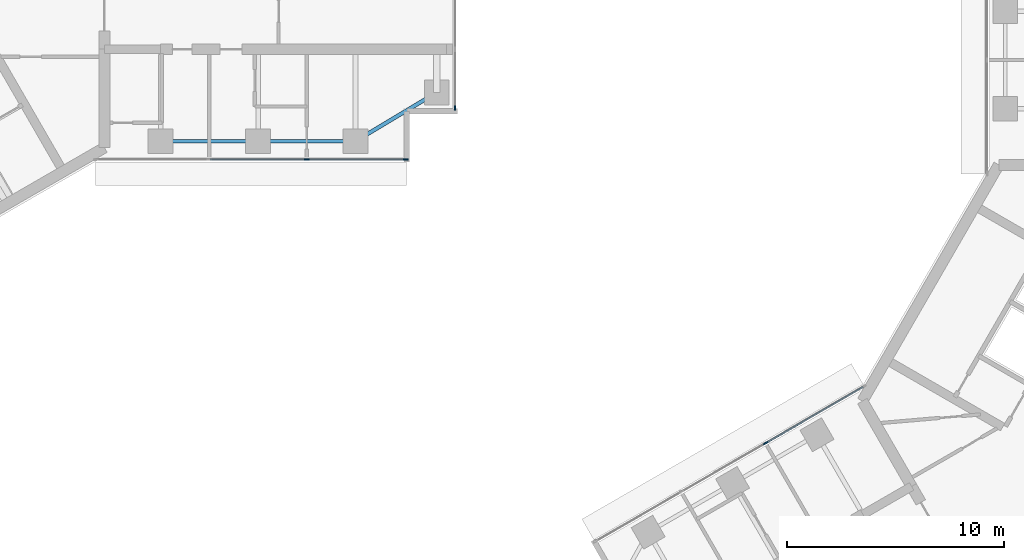
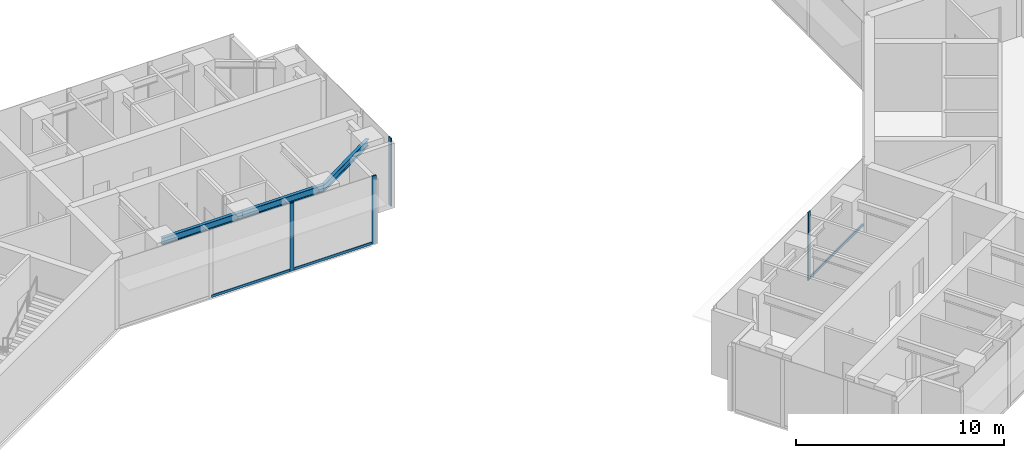
# One storey, part 4 of 17: 7 members, 3 beams, 3 elements without a shape of their own.
"""IFC4 building model written with IfcOpenShell, lengths in metres."""

from ifc_helpers import new_model, si_unit, direction, frame, origin, origin_2d, place, context, subcontext, project, spatial, rectangle, i_section, extrude, material, material_profile, profile_set, type_object, element, aggregate, save


model = new_model("IFC4")

# Units and contexts
model_context = context("Model", 3, precision=1e-05, world=origin(), true_north=direction((0.0, 1.0)))
body_context = subcontext(model_context, "Body", "Model", "MODEL_VIEW")
ifc_project = project(units=[si_unit("LENGTHUNIT", "METRE"), si_unit("AREAUNIT", "SQUARE_METRE"), si_unit("VOLUMEUNIT", "CUBIC_METRE"), si_unit("PLANEANGLEUNIT", "RADIAN"), si_unit("MASSUNIT", "GRAM", prefix="KILO")], contexts=[model_context])

# Site, building, storey
site_placement = place(None, origin())
site = spatial("IfcSite", under=ifc_project, at=site_placement, CompositionType="ELEMENT")
building_placement = place(site_placement, origin())
building = spatial("IfcBuilding", under=site, at=building_placement, Name="Upepo Twin Towers", CompositionType="ELEMENT")
storey_placement = place(building_placement, frame((0.0, 0.0, 206.5)))
storey = spatial("IfcBuildingStorey", under=building, at=storey_placement, Name="L50", CompositionType="ELEMENT", Elevation=206.5)

# Beams
ifc_material_1 = material(Name="Steel S355", Category="steel")
ifc_material_profile_1 = material_profile(ifc_material_1, i_section(OverallWidth=0.177978515625, OverallDepth=0.406494140625, WebThickness=0.0078125, FlangeThickness=0.0126953125, FilletRadius=0.01025390625, at=origin_2d()), Name="UB 406x178x60")
ifc_profile_set_1 = profile_set([ifc_material_profile_1], Name="Steel S355")
beam_type = type_object("IfcBeamType", Name="Beam UB 406x178x60", PredefinedType="BEAM", material=ifc_profile_set_1)
for number, where, z_axis, x_axis, name in (
    (1, (13.5, -6.0, 3.5966796875), (1.0, 0.0, 0.0), (0.0, 1.0, 0.0), "T1 edge beam AR 13.5-18.0"),
    (2, (18.0, -6.0, 3.5966796875), (1.0, 0.0, 0.0), (0.0, 1.0, 0.0), "T1 edge beam AR 18.0-22.5"),
):
    element("IfcBeam", number, at=place(storey_placement, frame(where, z_axis=z_axis, x_axis=x_axis)), inside=storey, type_object=beam_type, Name=name, PredefinedType="BEAM", context=body_context, shape_type="SweptSolid", body=[
        extrude(i_section(OverallWidth=0.177978515625, OverallDepth=0.406494140625, WebThickness=0.0078125, FlangeThickness=0.0126953125, FilletRadius=0.01025390625, at=origin_2d()), origin(), (0.0, 0.0, 1.0), 4.5),
    ])
beam_placement = place(storey_placement, frame((22.5, -6.0, 3.5966796875), z_axis=(0.857492925713, 0.514495755428, 0.0), x_axis=(-0.514495755428, 0.857492925713, 0.0)))
element("IfcBeam", 3, at=beam_placement, inside=storey, type_object=beam_type, Name="T1 nose edge beam AR", PredefinedType="BEAM", context=body_context, shape_type="SweptSolid", body=[
    extrude(i_section(OverallWidth=0.177978515625, OverallDepth=0.406494140625, WebThickness=0.0078125, FlangeThickness=0.0126953125, FilletRadius=0.01025390625, at=origin_2d()), origin(), (0.0, 0.0, 1.0), 4.373291015625),
])

# Curtain wall, members
ifc_material_2 = material(Name="Aluminium and fritted glass", Category="aluminium")
curtain_wall_type = type_object("IfcCurtainWallType", Name="Tower curtain wall TW3, fritted glass", PredefinedType="NOTDEFINED", material=ifc_material_2)
curtain_wall_1_placement = place(storey_placement, origin())
curtain_wall_1 = element("IfcCurtainWall", 4, at=curtain_wall_1_placement, inside=storey, type_object=curtain_wall_type, Name="T1 L50 wing A flank R curtain wall", PredefinedType="NOTDEFINED")
ifc_material_3 = material(Name="Aluminium mullion", Category="aluminium")
ifc_material_profile_2 = material_profile(ifc_material_3, rectangle(XDim=0.06494140625, YDim=0.22509765625, at=origin_2d()), Name="MULLION 65x225")
ifc_profile_set_2 = profile_set([ifc_material_profile_2], Name="Aluminium mullion")
member_type_1 = type_object("IfcMemberType", Name="Mullion 65x225 TW3", PredefinedType="MULLION", material=ifc_profile_set_2)
member_1_placement = place(storey_placement, frame((24.8173828125, -6.85009765625, 0.0), z_axis=(0.0, 0.0, 1.0), x_axis=(0.0, -1.0, 0.0)))
member_1 = element("IfcMember", 5, at=member_1_placement, type_object=member_type_1, Name="T1 L50 wing A flank R curtain wall mullion 1", PredefinedType="MULLION", context=body_context, shape_type="SweptSolid", body=[
    extrude(rectangle(XDim=0.06494140625, YDim=0.22509765625, at=origin_2d()), origin(), (0.0, 0.0, 1.0), 4.0),
])
member_2_placement = place(storey_placement, frame((20.25, -6.85009765625, 0.0), z_axis=(0.0, 0.0, 1.0), x_axis=(0.0, -1.0, 0.0)))
member_2 = element("IfcMember", 6, at=member_2_placement, type_object=member_type_1, Name="T1 L50 wing A flank R curtain wall mullion 2", PredefinedType="MULLION", context=body_context, shape_type="SweptSolid", body=[
    extrude(rectangle(XDim=0.06494140625, YDim=0.22509765625, at=origin_2d()), origin(), (0.0, 0.0, 1.0), 4.0),
])

# Curtain wall, member
curtain_wall_2_placement = place(storey_placement, origin())
curtain_wall_2 = element("IfcCurtainWall", 7, at=curtain_wall_2_placement, inside=storey, type_object=curtain_wall_type, Name="T1 L50 wing A nose curtain wall", PredefinedType="NOTDEFINED")
member_3_placement = place(storey_placement, frame((27.10009765625, -4.467529296875, 0.0), z_axis=(0.0, 0.0, 1.0), x_axis=(-1.0, 0.0, 0.0)))
member_3 = element("IfcMember", 8, at=member_3_placement, type_object=member_type_1, Name="T1 L50 wing A nose curtain wall mullion 1", PredefinedType="MULLION", context=body_context, shape_type="SweptSolid", body=[
    extrude(rectangle(XDim=0.06494140625, YDim=0.22509765625, at=origin_2d()), origin(), (0.0, 0.0, 1.0), 4.0),
])
aggregate(curtain_wall_2, [member_3])

curtain_wall_3_placement = place(storey_placement, origin())
curtain_wall_3 = element("IfcCurtainWall", 9, at=curtain_wall_3_placement, inside=storey, type_object=curtain_wall_type, Name="T2 L50 wing B flank R curtain wall", PredefinedType="NOTDEFINED")
member_4_placement = place(storey_placement, frame((41.43505859375, -19.942626953125, 0.0), z_axis=(0.0, 0.0, 1.0), x_axis=(-0.500000026527, 0.866025388469, 0.0)))
member_4 = element("IfcMember", 10, at=member_4_placement, type_object=member_type_1, Name="T2 L50 wing B flank R curtain wall mullion 3", PredefinedType="MULLION", context=body_context, shape_type="SweptSolid", body=[
    extrude(rectangle(XDim=0.06494140625, YDim=0.22509765625, at=origin_2d()), origin(), (0.0, 0.0, 1.0), 4.0),
])

# Member
ifc_material_4 = material(Name="Aluminium transom", Category="aluminium")
ifc_material_profile_3 = material_profile(ifc_material_4, rectangle(XDim=0.06494140625, YDim=0.14990234375, at=origin_2d()), Name="TRANSOM 65x150")
ifc_profile_set_3 = profile_set([ifc_material_profile_3], Name="Aluminium transom")
member_type_2 = type_object("IfcMemberType", Name="Transom 65x150 TW3", PredefinedType="USERDEFINED", material=ifc_profile_set_3)
member_5_placement = place(storey_placement, frame((24.784912109375, -6.85009765625, 0.074951171875), z_axis=(-1.0, 0.0, 0.0), x_axis=(0.0, -1.0, 0.0)))
member_5 = element("IfcMember", 11, at=member_5_placement, type_object=member_type_2, Name="T1 L50 wing A flank R curtain wall transom 1", ObjectType="TRANSOM", PredefinedType="USERDEFINED", context=body_context, shape_type="SweptSolid", body=[
    extrude(rectangle(XDim=0.06494140625, YDim=0.14990234375, at=origin_2d()), origin(), (0.0, 0.0, 1.0), 4.50244140625),
])

member_6_placement = place(storey_placement, frame((20.217529296875, -6.85009765625, 0.074951171875), z_axis=(-1.0, 0.0, 0.0), x_axis=(0.0, -1.0, 0.0)))
member_6 = element("IfcMember", 12, at=member_6_placement, type_object=member_type_2, Name="T1 L50 wing A flank R curtain wall transom 2", ObjectType="TRANSOM", PredefinedType="USERDEFINED", context=body_context, shape_type="SweptSolid", body=[
    extrude(rectangle(XDim=0.06494140625, YDim=0.14990234375, at=origin_2d()), origin(), (0.0, 0.0, 1.0), 4.43505859375),
])

aggregate(curtain_wall_1, [member_1, member_2, member_5, member_6])

member_7_placement = place(storey_placement, frame((41.463134765625, -19.926513671875, 0.074951171875), z_axis=(0.86602108507, 0.500007480159, 0.0), x_axis=(-0.500007480159, 0.86602108507, 0.0)))
member_7 = element("IfcMember", 13, at=member_7_placement, type_object=member_type_2, Name="T2 L50 wing B flank R curtain wall transom 3", ObjectType="TRANSOM", PredefinedType="USERDEFINED", context=body_context, shape_type="SweptSolid", body=[
    extrude(rectangle(XDim=0.06494140625, YDim=0.14990234375, at=origin_2d()), origin(), (0.0, 0.0, 1.0), 5.16552734375),
])

aggregate(curtain_wall_3, [member_4, member_7])

save(model, "model.ifc")
